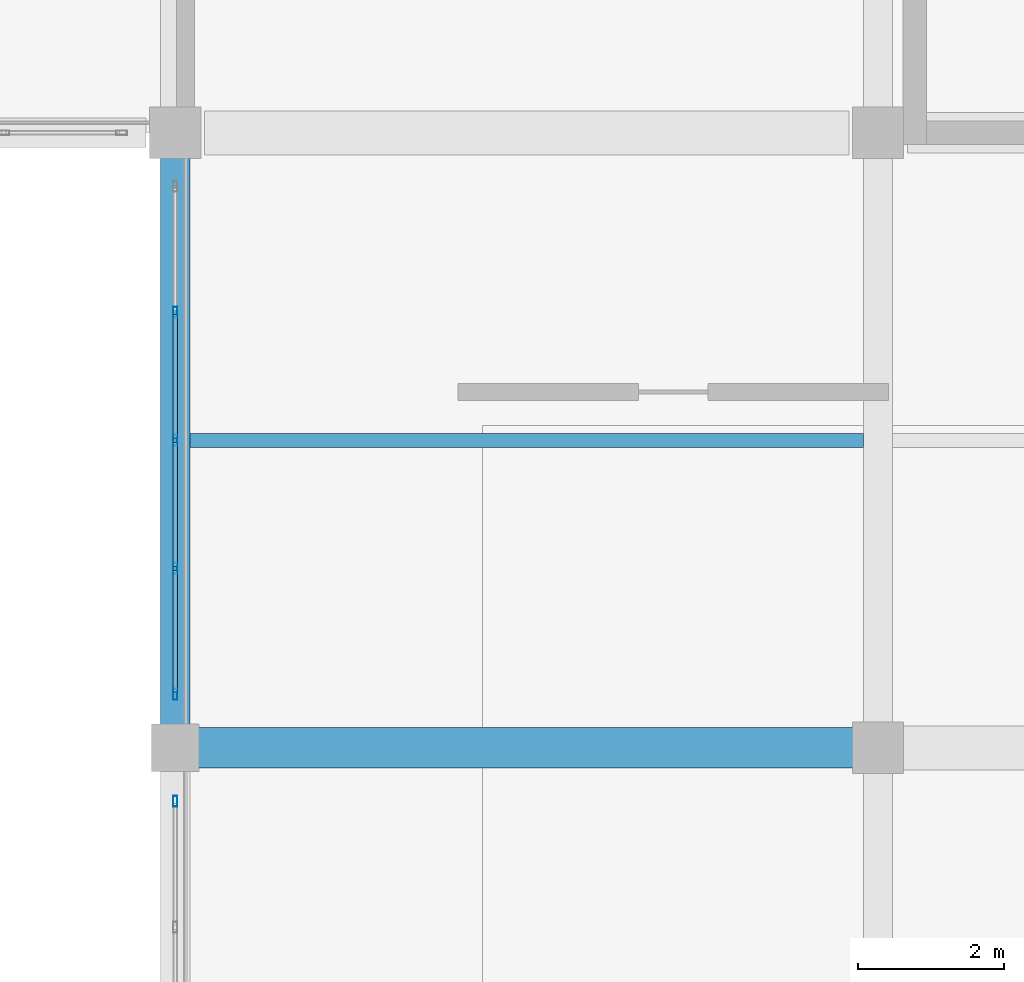
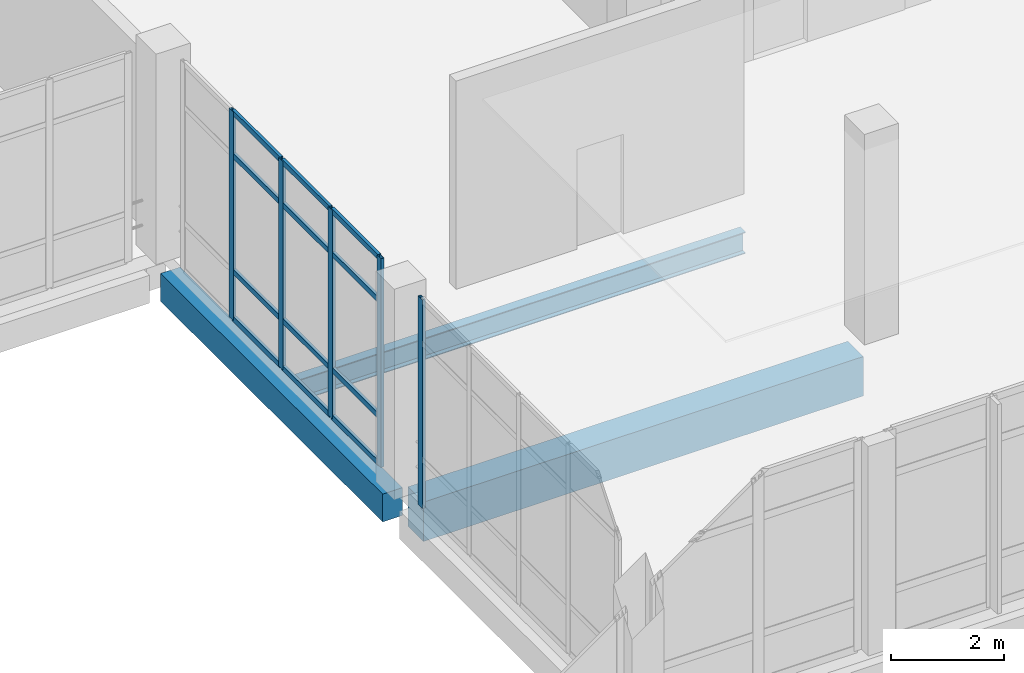
# One storey, part 40 of 102: 17 members, 3 beams, 2 elements without a shape of their own.
"""IFC4 building model written with IfcOpenShell, lengths in metres."""

import ifcopenshell
import ifcopenshell.guid

model = None  # the IFC model being written
_history = None  # IfcOwnerHistory: only IFC2X3 demands one
_inside = {}  # id of a spatial element -> (the spatial element, [elements in it])
_under = {}  # id of a project, library or spatial element -> (it, [spatial elements below it])
_declared = {}  # id of a project -> (the project, [libraries it declares])
_typed = {}  # id of a type object -> (the type object, [elements of that type])
_made_of = {}  # id of a material, layer set ... -> (it, [elements and type objects made of it])


def new_model(schema):
    """Start an empty IFC model of exactly this schema.

    Asked for "IFC4X3", IfcOpenShell would pick the latest addendum, in which some entities
    have other attributes; the version numbers below select the first issue.
    IFC2X3 requires an IfcOwnerHistory on every rooted entity: one is made here for all.
    """
    global model, _history
    if schema == "IFC4X3":
        model = ifcopenshell.file(schema_version=(4, 3, 0, 0))
    else:
        model = ifcopenshell.file(schema=schema)
    _inside.clear()
    _under.clear()
    _declared.clear()
    _typed.clear()
    _made_of.clear()
    _history = None
    if model.schema == "IFC2X3":
        org = make("IfcOrganization", Name="unknown")
        user = make(
            "IfcPersonAndOrganization",
            ThePerson=make("IfcPerson", FamilyName="unknown"),
            TheOrganization=org,
        )
        app = make(
            "IfcApplication",
            ApplicationDeveloper=org,
            Version="unknown",
            ApplicationFullName="unknown",
            ApplicationIdentifier="unknown",
        )
        _history = make(
            "IfcOwnerHistory",
            OwningUser=user,
            OwningApplication=app,
            ChangeAction="ADDED",
            CreationDate=0,
        )
    return model


def make(cls, **values):
    """One entity of the class cls with the attributes given. An attribute that is None is left unset."""
    return model.create_entity(
        cls, **{name: value for name, value in values.items() if value is not None}
    )


def rooted(cls, **values):
    """An entity with a GlobalId (a new one), such as an element, a storey or a relation."""
    return make(cls, GlobalId=ifcopenshell.guid.new(), OwnerHistory=_history, **values)


def si_unit(unit_type, name, prefix=None):
    """IfcSIUnit, for example si_unit("LENGTHUNIT", "METRE", prefix="MILLI")."""
    return make("IfcSIUnit", UnitType=unit_type, Prefix=prefix, Name=name)


def assignment(units):
    """IfcUnitAssignment: the units of a project."""
    return None if units is None else make("IfcUnitAssignment", Units=units)


def point(xyz):
    """IfcCartesianPoint."""
    return None if xyz is None else make("IfcCartesianPoint", Coordinates=xyz)


def direction(xyz):
    """IfcDirection."""
    return None if xyz is None else make("IfcDirection", DirectionRatios=xyz)


def frame(location, z_axis=None, x_axis=None):
    """IfcAxis2Placement3D, a coordinate frame: its origin and axes. An axis left out is left unset."""
    return make(
        "IfcAxis2Placement3D",
        Location=point(location),
        Axis=direction(z_axis),
        RefDirection=direction(x_axis),
    )


def frame_2d(location, x_axis=None):
    """IfcAxis2Placement2D, a coordinate frame in the plane: its origin and x axis."""
    return make(
        "IfcAxis2Placement2D", Location=point(location), RefDirection=direction(x_axis)
    )


def origin():
    """The frame at (0, 0, 0) with its axes left unset."""
    return frame((0.0, 0.0, 0.0))


def origin_2d():
    """The frame at (0, 0) in the plane with its x axis left unset."""
    return frame_2d((0.0, 0.0))


def place(relative_to, where):
    """IfcLocalPlacement: puts the frame where relative to a parent placement (None: the world)."""
    return make(
        "IfcLocalPlacement", PlacementRelTo=relative_to, RelativePlacement=where
    )


def context(
    kind, dimensions, precision=None, world=None, true_north=None, identifier=None
):
    """IfcGeometricRepresentationContext, for example the 3D "Model" context."""
    return make(
        "IfcGeometricRepresentationContext",
        ContextIdentifier=identifier,
        ContextType=kind,
        CoordinateSpaceDimension=dimensions,
        Precision=precision,
        WorldCoordinateSystem=world,
        TrueNorth=true_north,
    )


def subcontext(parent, identifier, kind, view, scale=None):
    """IfcGeometricRepresentationSubContext, for example "Body" below "Model"."""
    return make(
        "IfcGeometricRepresentationSubContext",
        ContextIdentifier=identifier,
        ContextType=kind,
        ParentContext=parent,
        TargetScale=scale,
        TargetView=view,
    )


def project(units=None, contexts=None):
    """IfcProject with its units and contexts."""
    return rooted(
        "IfcProject",
        Name="project",
        RepresentationContexts=contexts,
        UnitsInContext=assignment(units),
    )


def spatial(cls, under=None, at=None, **own):
    """A site, building, storey or space (cls), placed at a placement, below another one or the project."""
    s = rooted(cls, ObjectPlacement=at, **own)
    if under is not None:
        _under.setdefault(under.id(), (under, []))[1].append(s)
    return s


def profile(cls, at=None, kind="AREA", **sizes):
    """A parametric profile (cls). Its sizes go by their IFC names, for example OverallWidth=200.0."""
    return make(cls, ProfileType=kind, Position=at, **sizes)


def rectangle(**sizes):
    """IfcRectangleProfileDef."""
    return profile("IfcRectangleProfileDef", **sizes)


def hollow_rectangle(**sizes):
    """IfcRectangleHollowProfileDef."""
    return profile("IfcRectangleHollowProfileDef", **sizes)


def i_section(**sizes):
    """IfcIShapeProfileDef."""
    return profile("IfcIShapeProfileDef", **sizes)


def extrude(swept, where, along, depth):
    """IfcExtrudedAreaSolid: the profile swept, set in the frame where, extruded along a direction by depth."""
    return make(
        "IfcExtrudedAreaSolid",
        SweptArea=swept,
        Position=where,
        ExtrudedDirection=direction(along),
        Depth=depth,
    )


def shape(context_of_items, identifier, shape_type, items):
    """IfcShapeRepresentation: the items that make up one representation, for example the "Body"."""
    return make(
        "IfcShapeRepresentation",
        ContextOfItems=context_of_items,
        RepresentationIdentifier=identifier,
        RepresentationType=shape_type,
        Items=items,
    )


def material(Name=None, Category=None):
    """IfcMaterial."""
    return make("IfcMaterial", Name=Name, Category=Category)


def layer(
    of_material, thickness, ventilated=None, Name=None, Category=None, Priority=None
):
    """IfcMaterialLayer: one layer of a wall or slab, of a material (None: an air gap)."""
    return make(
        "IfcMaterialLayer",
        Material=of_material,
        LayerThickness=thickness,
        IsVentilated=ventilated,
        Name=Name,
        Category=Category,
        Priority=Priority,
    )


def layer_set(layers, Name=None):
    """IfcMaterialLayerSet."""
    return make("IfcMaterialLayerSet", MaterialLayers=layers, LayerSetName=Name)


def material_profile(
    of_material, cross_section, Name=None, Category=None, Priority=None
):
    """IfcMaterialProfile: a cross section and its material."""
    return make(
        "IfcMaterialProfile",
        Name=Name,
        Material=of_material,
        Profile=cross_section,
        Priority=Priority,
        Category=Category,
    )


def profile_set(profiles, Name=None, composite=None):
    """IfcMaterialProfileSet."""
    return make(
        "IfcMaterialProfileSet",
        Name=Name,
        MaterialProfiles=profiles,
        CompositeProfile=composite,
    )


def made_of(thing, what):
    """Note that an element or type object is made of a material, layer set ...; save() writes the relation."""
    if what is not None:
        _made_of.setdefault(what.id(), (what, []))[1].append(thing)
    return thing


def type_object(cls, material=None, **own):
    """A type object (cls), such as IfcWallType, which elements share."""
    return made_of(rooted(cls, **own), material)


def element(
    cls,
    number,
    at=None,
    inside=None,
    cuts=None,
    type_object=None,
    material=None,
    context=None,
    identifier="Body",
    shape_type=None,
    held_by="IfcProductDefinitionShape",
    body=None,
    shapes=None,
    **own,
):
    """One element of the class cls, such as IfcWall. Its Tag is "e" and its number.

    at: its placement. inside: the storey or other place that contains it. cuts: it is an
    opening in that element (IfcRelVoidsElement). A single representation is given by context,
    identifier, shape_type and body (its items); several are given by shapes. held_by: the class
    of the entity that holds the representations. save() writes the other relations.
    """
    e = rooted(cls, Tag="e%d" % number, ObjectPlacement=at, **own)
    if body is not None:
        shapes = [shape(context, identifier, shape_type, body)]
    if shapes is not None:
        e.Representation = make(held_by, Representations=shapes)
    if inside is not None:
        _inside.setdefault(inside.id(), (inside, []))[1].append(e)
    if cuts is not None:
        rooted(
            "IfcRelVoidsElement", RelatingBuildingElement=cuts, RelatedOpeningElement=e
        )
    if type_object is not None:
        _typed.setdefault(type_object.id(), (type_object, []))[1].append(e)
    return made_of(e, material)


def aggregate(whole, parts):
    """IfcRelAggregates: a whole, such as a stair, and the parts it consists of."""
    return rooted("IfcRelAggregates", RelatingObject=whole, RelatedObjects=parts)


def save(model, path):
    """Write the relations noted so far, then the file.

    IfcRelAggregates (storeys below a building ...), IfcRelContainedInSpatialStructure (elements
    in a storey), IfcRelDefinesByType, IfcRelAssociatesMaterial and IfcRelDeclares: one each for
    every whole, place, type object, material and project.
    """
    for whole, parts in _under.values():
        aggregate(whole, parts)
    for where, things in _inside.values():
        rooted(
            "IfcRelContainedInSpatialStructure",
            RelatedElements=things,
            RelatingStructure=where,
        )
    for kind, things in _typed.values():
        rooted("IfcRelDefinesByType", RelatedObjects=things, RelatingType=kind)
    for what, things in _made_of.values():
        rooted("IfcRelAssociatesMaterial", RelatedObjects=things, RelatingMaterial=what)
    for by, libraries in _declared.values():
        rooted("IfcRelDeclares", RelatingContext=by, RelatedDefinitions=libraries)
    model.write(path)


model = new_model("IFC4")

# Units and contexts
model_context = context("Model", 3, precision=1e-05, world=origin(), true_north=direction((0.0, 1.0)))
body_context = subcontext(model_context, "Body", "Model", "MODEL_VIEW")
ifc_project = project(units=[si_unit("LENGTHUNIT", "METRE"), si_unit("AREAUNIT", "SQUARE_METRE"), si_unit("VOLUMEUNIT", "CUBIC_METRE"), si_unit("PLANEANGLEUNIT", "RADIAN"), si_unit("MASSUNIT", "GRAM", prefix="KILO")], contexts=[model_context])

# Site, building, storey
site_placement = place(None, origin())
site = spatial("IfcSite", under=ifc_project, at=site_placement, CompositionType="ELEMENT")
building_placement = place(site_placement, origin())
building = spatial("IfcBuilding", under=site, at=building_placement, Name="Lornevale Opera House", CompositionType="ELEMENT")
storey_placement = place(building_placement, frame((0.0, 0.0, 5.39990234375)))
storey = spatial("IfcBuildingStorey", under=building, at=storey_placement, Name="L02", CompositionType="ELEMENT", Elevation=5.39990234375)

# Beams
ifc_material_1 = material(Name="Concrete 35 MPa (CSA A23.1 N)", Category="concrete")
ifc_material_profile_1 = material_profile(ifc_material_1, rectangle(XDim=0.550048828125, YDim=0.85009765625, at=origin_2d()), Name="RC550x850")
ifc_profile_set_1 = profile_set([ifc_material_profile_1], Name="Concrete 35 MPa (CSA A23.1 N)")
beam_type_1 = type_object("IfcBeamType", Name="Concrete Primary Girder 550x850", PredefinedType="USERDEFINED", material=ifc_profile_set_1)
beam_1_placement = place(storey_placement, frame((96.300048828125, 25.199951171875, -0.724853515625), z_axis=(1.0, 0.0, 0.0), x_axis=(0.0, 1.0, 0.0)))
element("IfcBeam", 1, at=beam_1_placement, inside=storey, type_object=beam_type_1, Name="Concrete Primary Girder 550x850 1702", ObjectType="GIRDER", PredefinedType="USERDEFINED", context=body_context, shape_type="SweptSolid", body=[
    extrude(rectangle(XDim=0.550048828125, YDim=0.85009765625, at=origin_2d()), origin(), (0.0, 0.0, 1.0), 8.974853515625),
])
ifc_material_profile_2 = material_profile(ifc_material_1, rectangle(XDim=0.39990234375, YDim=0.60009765625, at=origin_2d()), Name="RC400x600")
ifc_profile_set_2 = profile_set([ifc_material_profile_2], Name="Concrete 35 MPa (CSA A23.1 N)")
beam_type_2 = type_object("IfcBeamType", Name="Concrete Spandrel Beam 400x600", PredefinedType="SPANDREL", material=ifc_profile_set_2)
beam_2_placement = place(storey_placement, frame((96.0, 25.5, -0.599853515625), z_axis=(0.0, 1.0, 0.0), x_axis=(-1.0, 0.0, 0.0)))
element("IfcBeam", 2, at=beam_2_placement, inside=storey, type_object=beam_type_2, Name="Concrete Spandrel Beam 400x600 1908", PredefinedType="SPANDREL", context=body_context, shape_type="SweptSolid", body=[
    extrude(rectangle(XDim=0.39990234375, YDim=0.60009765625, at=origin_2d()), origin(), (0.0, 0.0, 1.0), 7.85009765625),
])

# Curtain wall, members
ifc_material_2 = material(Name="Anodized Oxide-Green Aluminium Framing", Category="aluminium")
ifc_layer = layer(ifc_material_2, 0.14990234375)
ifc_layer_set = layer_set([ifc_layer], Name="Anodized Oxide-Green Aluminium Framing")
curtain_wall_type = type_object("IfcCurtainWallType", Name="North-Light Clerestory Curtain Wall M1600", PredefinedType="NOTDEFINED", material=ifc_layer_set)
curtain_wall_1_placement = place(storey_placement, origin())
curtain_wall_1 = element("IfcCurtainWall", 3, at=curtain_wall_1_placement, inside=storey, type_object=curtain_wall_type, Name="North-Light Clerestory Curtain Wall M1600 CW-173", PredefinedType="NOTDEFINED")
ifc_material_profile_3 = material_profile(ifc_material_2, hollow_rectangle(XDim=0.06005859375, YDim=0.14990234375, WallThickness=0.00390625, at=origin_2d()), Name="ALU60x150x4")
ifc_profile_set_3 = profile_set([ifc_material_profile_3], Name="Anodized Oxide-Green Aluminium Framing")
member_type_1 = type_object("IfcMemberType", Name="Curtain Wall Mullion 60x150", PredefinedType="MULLION", material=ifc_profile_set_3)
member_1_placement = place(storey_placement, frame((96.0, 31.14990234375, 0.0), z_axis=(0.0, 0.0, 1.0), x_axis=(1.0, 0.0, 0.0)))
member_1 = element("IfcMember", 4, at=member_1_placement, type_object=member_type_1, Name="Curtain Wall Mullion 60x150 CW3526", PredefinedType="MULLION", context=body_context, shape_type="SweptSolid", body=[
    extrude(hollow_rectangle(XDim=0.06005859375, YDim=0.14990234375, WallThickness=0.00390625, at=origin_2d()), origin(), (0.0, 0.0, 1.0), 4.5),
])
member_2_placement = place(storey_placement, frame((96.0, 29.39990234375, 0.0), z_axis=(0.0, 0.0, 1.0), x_axis=(1.0, 0.0, 0.0)))
member_2 = element("IfcMember", 5, at=member_2_placement, type_object=member_type_1, Name="Curtain Wall Mullion 60x150 CW3527", PredefinedType="MULLION", context=body_context, shape_type="SweptSolid", body=[
    extrude(hollow_rectangle(XDim=0.06005859375, YDim=0.14990234375, WallThickness=0.00390625, at=origin_2d()), origin(), (0.0, 0.0, 1.0), 4.5),
])
member_3_placement = place(storey_placement, frame((96.0, 27.64990234375, 0.0), z_axis=(0.0, 0.0, 1.0), x_axis=(1.0, 0.0, 0.0)))
member_3 = element("IfcMember", 6, at=member_3_placement, type_object=member_type_1, Name="Curtain Wall Mullion 60x150 CW3528", PredefinedType="MULLION", context=body_context, shape_type="SweptSolid", body=[
    extrude(hollow_rectangle(XDim=0.06005859375, YDim=0.14990234375, WallThickness=0.00390625, at=origin_2d()), origin(), (0.0, 0.0, 1.0), 4.5),
])
member_4_placement = place(storey_placement, frame((96.0, 25.929931640625, 0.0), z_axis=(0.0, 0.0, 1.0), x_axis=(1.0, 0.0, 0.0)))
member_4 = element("IfcMember", 7, at=member_4_placement, type_object=member_type_1, Name="Curtain Wall Mullion 60x150 CW3529", PredefinedType="MULLION", context=body_context, shape_type="SweptSolid", body=[
    extrude(hollow_rectangle(XDim=0.06005859375, YDim=0.14990234375, WallThickness=0.00390625, at=origin_2d()), origin(), (0.0, 0.0, 1.0), 4.5),
])

# Curtain wall, member
curtain_wall_2_placement = place(storey_placement, origin())
curtain_wall_2 = element("IfcCurtainWall", 8, at=curtain_wall_2_placement, inside=storey, type_object=curtain_wall_type, Name="North-Light Clerestory Curtain Wall M1600 CW-174", PredefinedType="NOTDEFINED")
member_5_placement = place(storey_placement, frame((96.0, 24.469970703125, 0.0), z_axis=(0.0, 0.0, 1.0), x_axis=(1.0, 0.0, 0.0)))
member_5 = element("IfcMember", 9, at=member_5_placement, type_object=member_type_1, Name="Curtain Wall Mullion 60x150 CW3558", PredefinedType="MULLION", context=body_context, shape_type="SweptSolid", body=[
    extrude(hollow_rectangle(XDim=0.06005859375, YDim=0.14990234375, WallThickness=0.00390625, at=origin_2d()), origin(), (0.0, 0.0, 1.0), 4.5),
])
aggregate(curtain_wall_2, [member_5])

# Member
ifc_material_profile_4 = material_profile(ifc_material_2, hollow_rectangle(XDim=0.06005859375, YDim=0.114990234375, WallThickness=0.00390625, at=origin_2d()), Name="ALU60x115x4")
ifc_profile_set_4 = profile_set([ifc_material_profile_4], Name="Anodized Oxide-Green Aluminium Framing")
member_type_2 = type_object("IfcMemberType", Name="Curtain Wall Transom 60x115", PredefinedType="USERDEFINED", material=ifc_profile_set_4)
member_6_placement = place(storey_placement, frame((96.0, 31.1201171875, 0.030029296875), z_axis=(0.0, -1.0, 0.0), x_axis=(1.0, 0.0, 0.0)))
member_6 = element("IfcMember", 10, at=member_6_placement, type_object=member_type_2, Name="Curtain Wall Transom 60x115 CW3537", ObjectType="TRANSOM", PredefinedType="USERDEFINED", context=body_context, shape_type="SweptSolid", body=[
    extrude(hollow_rectangle(XDim=0.06005859375, YDim=0.114990234375, WallThickness=0.00390625, at=origin_2d()), origin(), (0.0, 0.0, 1.0), 1.690185546875),
])

member_7_placement = place(storey_placement, frame((96.0, 31.1201171875, 1.050048828125), z_axis=(0.0, -1.0, 0.0), x_axis=(1.0, 0.0, 0.0)))
member_7 = element("IfcMember", 11, at=member_7_placement, type_object=member_type_2, Name="Curtain Wall Transom 60x115 CW3538", ObjectType="TRANSOM", PredefinedType="USERDEFINED", context=body_context, shape_type="SweptSolid", body=[
    extrude(hollow_rectangle(XDim=0.06005859375, YDim=0.114990234375, WallThickness=0.00390625, at=origin_2d()), origin(), (0.0, 0.0, 1.0), 1.690185546875),
])

member_8_placement = place(storey_placement, frame((96.0, 31.1201171875, 3.550048828125), z_axis=(0.0, -1.0, 0.0), x_axis=(1.0, 0.0, 0.0)))
member_8 = element("IfcMember", 12, at=member_8_placement, type_object=member_type_2, Name="Curtain Wall Transom 60x115 CW3539", ObjectType="TRANSOM", PredefinedType="USERDEFINED", context=body_context, shape_type="SweptSolid", body=[
    extrude(hollow_rectangle(XDim=0.06005859375, YDim=0.114990234375, WallThickness=0.00390625, at=origin_2d()), origin(), (0.0, 0.0, 1.0), 1.690185546875),
])

member_9_placement = place(storey_placement, frame((96.0, 31.1201171875, 4.47021484375), z_axis=(0.0, -1.0, 0.0), x_axis=(1.0, 0.0, 0.0)))
member_9 = element("IfcMember", 13, at=member_9_placement, type_object=member_type_2, Name="Curtain Wall Transom 60x115 CW3540", ObjectType="TRANSOM", PredefinedType="USERDEFINED", context=body_context, shape_type="SweptSolid", body=[
    extrude(hollow_rectangle(XDim=0.06005859375, YDim=0.114990234375, WallThickness=0.00390625, at=origin_2d()), origin(), (0.0, 0.0, 1.0), 1.690185546875),
])

member_10_placement = place(storey_placement, frame((96.0, 29.3701171875, 0.030029296875), z_axis=(0.0, -1.0, 0.0), x_axis=(1.0, 0.0, 0.0)))
member_10 = element("IfcMember", 14, at=member_10_placement, type_object=member_type_2, Name="Curtain Wall Transom 60x115 CW3544", ObjectType="TRANSOM", PredefinedType="USERDEFINED", context=body_context, shape_type="SweptSolid", body=[
    extrude(hollow_rectangle(XDim=0.06005859375, YDim=0.114990234375, WallThickness=0.00390625, at=origin_2d()), origin(), (0.0, 0.0, 1.0), 1.690185546875),
])

member_11_placement = place(storey_placement, frame((96.0, 29.3701171875, 1.050048828125), z_axis=(0.0, -1.0, 0.0), x_axis=(1.0, 0.0, 0.0)))
member_11 = element("IfcMember", 15, at=member_11_placement, type_object=member_type_2, Name="Curtain Wall Transom 60x115 CW3545", ObjectType="TRANSOM", PredefinedType="USERDEFINED", context=body_context, shape_type="SweptSolid", body=[
    extrude(hollow_rectangle(XDim=0.06005859375, YDim=0.114990234375, WallThickness=0.00390625, at=origin_2d()), origin(), (0.0, 0.0, 1.0), 1.690185546875),
])

member_12_placement = place(storey_placement, frame((96.0, 29.3701171875, 3.550048828125), z_axis=(0.0, -1.0, 0.0), x_axis=(1.0, 0.0, 0.0)))
member_12 = element("IfcMember", 16, at=member_12_placement, type_object=member_type_2, Name="Curtain Wall Transom 60x115 CW3546", ObjectType="TRANSOM", PredefinedType="USERDEFINED", context=body_context, shape_type="SweptSolid", body=[
    extrude(hollow_rectangle(XDim=0.06005859375, YDim=0.114990234375, WallThickness=0.00390625, at=origin_2d()), origin(), (0.0, 0.0, 1.0), 1.690185546875),
])

member_13_placement = place(storey_placement, frame((96.0, 29.3701171875, 4.47021484375), z_axis=(0.0, -1.0, 0.0), x_axis=(1.0, 0.0, 0.0)))
member_13 = element("IfcMember", 17, at=member_13_placement, type_object=member_type_2, Name="Curtain Wall Transom 60x115 CW3547", ObjectType="TRANSOM", PredefinedType="USERDEFINED", context=body_context, shape_type="SweptSolid", body=[
    extrude(hollow_rectangle(XDim=0.06005859375, YDim=0.114990234375, WallThickness=0.00390625, at=origin_2d()), origin(), (0.0, 0.0, 1.0), 1.690185546875),
])

member_14_placement = place(storey_placement, frame((96.0, 27.6201171875, 0.030029296875), z_axis=(0.0, -1.0, 0.0), x_axis=(1.0, 0.0, 0.0)))
member_14 = element("IfcMember", 18, at=member_14_placement, type_object=member_type_2, Name="Curtain Wall Transom 60x115 CW3551", ObjectType="TRANSOM", PredefinedType="USERDEFINED", context=body_context, shape_type="SweptSolid", body=[
    extrude(hollow_rectangle(XDim=0.06005859375, YDim=0.114990234375, WallThickness=0.00390625, at=origin_2d()), origin(), (0.0, 0.0, 1.0), 1.66015625),
])

member_15_placement = place(storey_placement, frame((96.0, 27.6201171875, 1.050048828125), z_axis=(0.0, -1.0, 0.0), x_axis=(1.0, 0.0, 0.0)))
member_15 = element("IfcMember", 19, at=member_15_placement, type_object=member_type_2, Name="Curtain Wall Transom 60x115 CW3552", ObjectType="TRANSOM", PredefinedType="USERDEFINED", context=body_context, shape_type="SweptSolid", body=[
    extrude(hollow_rectangle(XDim=0.06005859375, YDim=0.114990234375, WallThickness=0.00390625, at=origin_2d()), origin(), (0.0, 0.0, 1.0), 1.66015625),
])

member_16_placement = place(storey_placement, frame((96.0, 27.6201171875, 3.550048828125), z_axis=(0.0, -1.0, 0.0), x_axis=(1.0, 0.0, 0.0)))
member_16 = element("IfcMember", 20, at=member_16_placement, type_object=member_type_2, Name="Curtain Wall Transom 60x115 CW3553", ObjectType="TRANSOM", PredefinedType="USERDEFINED", context=body_context, shape_type="SweptSolid", body=[
    extrude(hollow_rectangle(XDim=0.06005859375, YDim=0.114990234375, WallThickness=0.00390625, at=origin_2d()), origin(), (0.0, 0.0, 1.0), 1.66015625),
])

member_17_placement = place(storey_placement, frame((96.0, 27.6201171875, 4.47021484375), z_axis=(0.0, -1.0, 0.0), x_axis=(1.0, 0.0, 0.0)))
member_17 = element("IfcMember", 21, at=member_17_placement, type_object=member_type_2, Name="Curtain Wall Transom 60x115 CW3554", ObjectType="TRANSOM", PredefinedType="USERDEFINED", context=body_context, shape_type="SweptSolid", body=[
    extrude(hollow_rectangle(XDim=0.06005859375, YDim=0.114990234375, WallThickness=0.00390625, at=origin_2d()), origin(), (0.0, 0.0, 1.0), 1.66015625),
])

aggregate(curtain_wall_1, [member_1, member_2, member_3, member_4, member_6, member_7, member_8, member_9, member_10, member_11, member_12, member_13, member_14, member_15, member_16, member_17])

# Beam
ifc_material_3 = material(Name="Structural Steel CSA G40.21 Grade 350W (350 MPa)", Category="steel")
ifc_material_profile_5 = material_profile(ifc_material_3, i_section(OverallWidth=0.19189453125, OverallDepth=0.462890625, WebThickness=0.010498046875, FlangeThickness=0.017578125, at=origin_2d()), Name="W460x89")
ifc_profile_set_5 = profile_set([ifc_material_profile_5], Name="Structural Steel CSA G40.21 Grade 350W (350 MPa)")
beam_type_3 = type_object("IfcBeamType", Name="Steel Floor Joist W460x89", PredefinedType="JOIST", material=ifc_profile_set_5)
beam_3_placement = place(storey_placement, frame((96.199951171875, 29.39990234375, -0.54638671875), z_axis=(1.0, 0.0, 0.0), x_axis=(0.0, 1.0, 0.0)))
element("IfcBeam", 22, at=beam_3_placement, inside=storey, type_object=beam_type_3, Name="Steel Floor Joist W460x89 2034", PredefinedType="JOIST", context=body_context, shape_type="SweptSolid", body=[
    extrude(i_section(OverallWidth=0.19189453125, OverallDepth=0.462890625, WebThickness=0.010498046875, FlangeThickness=0.017578125, at=origin_2d()), origin(), (0.0, 0.0, 1.0), 9.199951171875),
])

save(model, "model.ifc")
